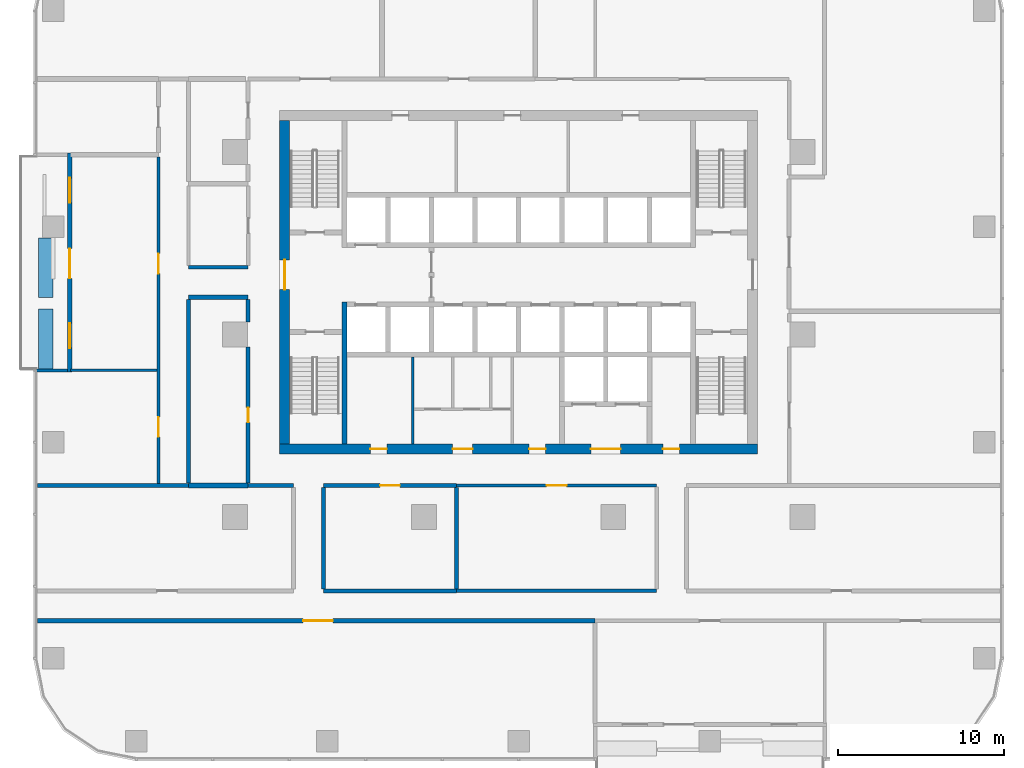
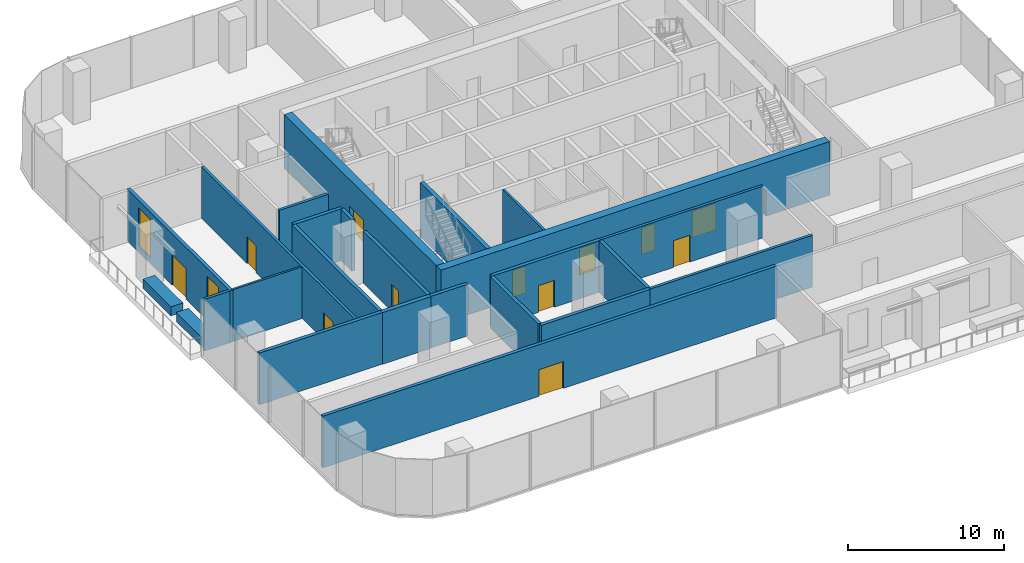
# One storey, part 7 of 15: 25 walls, 13 doors, 2 windows, 15 openings.
"""IFC4 building model written with IfcOpenShell, lengths in metres."""

from ifc_helpers import new_model, si_unit, direction, frame, frame_2d, origin, place, context, subcontext, project, spatial, rectangle, extrude, material, layer, layer_set, type_object, element, fill, save


model = new_model("IFC4")

# Units and contexts
model_context = context("Model", 3, precision=1e-05, world=origin(), true_north=direction((0.0, 1.0)))
body_context = subcontext(model_context, "Body", "Model", "MODEL_VIEW")
ifc_project = project(units=[si_unit("LENGTHUNIT", "METRE"), si_unit("AREAUNIT", "SQUARE_METRE"), si_unit("VOLUMEUNIT", "CUBIC_METRE"), si_unit("PLANEANGLEUNIT", "RADIAN"), si_unit("MASSUNIT", "GRAM", prefix="KILO")], contexts=[model_context])

# Site, building, storey
site_placement = place(None, origin())
site = spatial("IfcSite", under=ifc_project, at=site_placement, CompositionType="ELEMENT")
building_placement = place(site_placement, origin())
building = spatial("IfcBuilding", under=site, at=building_placement, Name="Mopane Tessera Tower", CompositionType="ELEMENT")
storey_placement = place(building_placement, frame((0.0, 0.0, 103.60009765625)))
storey = spatial("IfcBuildingStorey", under=building, at=storey_placement, Name="L20", CompositionType="ELEMENT", Elevation=103.60009765625)

# Wall
ifc_material_1 = material(Name="Fire-rated gypsum board partition")
ifc_layer_1 = layer(ifc_material_1, 0.14990234375)
ifc_layer_set_1 = layer_set([ifc_layer_1], Name="Fire-rated gypsum board partition")
wall_type_1 = type_object("IfcWallType", Name="Core room partition 150 mm", PredefinedType="PARTITIONING", material=ifc_layer_set_1)
wall_1_placement = place(storey_placement, frame((-6.375, -6.60009765625, 0.0), z_axis=(0.0, 0.0, 1.0), x_axis=(0.0, 1.0, 0.0)))
element("IfcWall", 1, at=wall_1_placement, inside=storey, type_object=wall_type_1, Name="L20 Room partition", PredefinedType="PARTITIONING", context=body_context, shape_type="SweptSolid", body=[
    extrude(rectangle(XDim=5.25, YDim=0.14990234375, at=frame_2d((2.625, 0.0))), origin(), (0.0, 0.0, 1.0), 4.199951171875),
])

# Wall, openings, doors
ifc_material_2 = material(Name="Concrete C70/85", Category="concrete")
ifc_layer_2 = layer(ifc_material_2, 0.60009765625)
ifc_layer_set_2 = layer_set([ifc_layer_2], Name="Concrete C70/85")
wall_type_2 = type_object("IfcWallType", Name="Core shear wall 600 mm", PredefinedType="SHEAR", material=ifc_layer_set_2)
wall_2_placement = place(storey_placement, frame((-14.39990234375, -6.89990234375, 0.0), z_axis=(0.0, 0.0, 1.0), x_axis=(1.0, 0.0, 0.0)))
wall_2 = element("IfcWall", 2, at=wall_2_placement, inside=storey, type_object=wall_type_2, Name="L20 Core wall south", PredefinedType="SHEAR", context=body_context, shape_type="SweptSolid", body=[
    extrude(rectangle(XDim=28.7998046875, YDim=0.60009765625, at=frame_2d((14.39990234375, 0.0))), origin(), (0.0, 0.0, 1.0), 4.199951171875),
])
opening_1_placement = place(wall_2_placement, frame((5.46240234375, 0.0, 0.0)))
opening_1 = element("IfcOpeningElement", 3, at=opening_1_placement, cuts=wall_2, Name="Opening RD1", PredefinedType="OPENING", context=body_context, shape_type="SweptSolid", body=[
    extrude(rectangle(XDim=1.0, YDim=2.10009765625, at=frame_2d((0.5, 1.050048828125))), frame((0.0, 0.31201171875, 0.0), z_axis=(0.0, -1.0, 0.0), x_axis=(1.0, 0.0, 0.0)), (0.0, 0.0, 1.0), 0.6240234375),
])
opening_2_placement = place(wall_2_placement, frame((10.425048828125, 0.0, 0.0)))
opening_2 = element("IfcOpeningElement", 4, at=opening_2_placement, cuts=wall_2, Name="Opening WD3", PredefinedType="OPENING", context=body_context, shape_type="SweptSolid", body=[
    extrude(rectangle(XDim=1.199951171875, YDim=2.10009765625, at=frame_2d((0.60009765625, 1.050048828125))), frame((0.0, 0.31201171875, 0.0), z_axis=(0.0, -1.0, 0.0), x_axis=(1.0, 0.0, 0.0)), (0.0, 0.0, 1.0), 0.6240234375),
])
opening_3_placement = place(wall_2_placement, frame((15.02490234375, 0.0, 0.0)))
opening_3 = element("IfcOpeningElement", 5, at=opening_3_placement, cuts=wall_2, Name="Opening RD1", PredefinedType="OPENING", context=body_context, shape_type="SweptSolid", body=[
    extrude(rectangle(XDim=1.0, YDim=2.10009765625, at=frame_2d((0.5, 1.050048828125))), frame((0.0, 0.31201171875, 0.0), z_axis=(0.0, -1.0, 0.0), x_axis=(1.0, 0.0, 0.0)), (0.0, 0.0, 1.0), 0.6240234375),
])
opening_4_placement = place(wall_2_placement, frame((18.75, 0.0, 0.0)))
opening_4 = element("IfcOpeningElement", 6, at=opening_4_placement, cuts=wall_2, Name="Opening SD2", PredefinedType="OPENING", context=body_context, shape_type="SweptSolid", body=[
    extrude(rectangle(XDim=1.800048828125, YDim=2.10009765625, at=frame_2d((0.89990234375, 1.050048828125))), frame((0.0, 0.31201171875, 0.0), z_axis=(0.0, -1.0, 0.0), x_axis=(1.0, 0.0, 0.0)), (0.0, 0.0, 1.0), 0.6240234375),
])
opening_5_placement = place(wall_2_placement, frame((23.08740234375, 0.0, 0.0)))
opening_5 = element("IfcOpeningElement", 7, at=opening_5_placement, cuts=wall_2, Name="Opening RD1", PredefinedType="OPENING", context=body_context, shape_type="SweptSolid", body=[
    extrude(rectangle(XDim=1.0, YDim=2.10009765625, at=frame_2d((0.5, 1.050048828125))), frame((0.0, 0.31201171875, 0.0), z_axis=(0.0, -1.0, 0.0), x_axis=(1.0, 0.0, 0.0)), (0.0, 0.0, 1.0), 0.6240234375),
])
ifc_material_3 = material(Name="Steel fire door", Category="steel")
door_type_1 = type_object("IfcDoorType", Name="Core entrance double door 1800 x 2100", OperationType="DOUBLE_DOOR_SINGLE_SWING", PredefinedType="DOOR", material=ifc_material_3)
door_1_placement = place(opening_4_placement, origin())
door_1 = element("IfcDoor", 8, at=door_1_placement, inside=storey, type_object=door_type_1, Name="L20 Service lobby door", OperationType="DOUBLE_DOOR_SINGLE_SWING", OverallHeight=2.10009765625, OverallWidth=1.800048828125, PredefinedType="DOOR", context=body_context, shape_type="SweptSolid", body=[
    extrude(rectangle(XDim=1.800048828125, YDim=2.10009765625, at=frame_2d((0.89990234375, 1.050048828125))), frame((0.0, 0.02490234375, 0.0), z_axis=(0.0, -1.0, 0.0), x_axis=(1.0, 0.0, 0.0)), (0.0, 0.0, 1.0), 0.050048828125),
])
fill(opening_4, door_1)
ifc_material_4 = material(Name="Timber door", Category="wood")
door_type_2 = type_object("IfcDoorType", Name="Core room door 1000 x 2100", OperationType="SINGLE_SWING_LEFT", PredefinedType="DOOR", material=ifc_material_4)
door_2_placement = place(opening_1_placement, origin())
door_2 = element("IfcDoor", 9, at=door_2_placement, inside=storey, type_object=door_type_2, Name="L20 Room door", OperationType="SINGLE_SWING_LEFT", OverallHeight=2.10009765625, OverallWidth=1.0, PredefinedType="DOOR", context=body_context, shape_type="SweptSolid", body=[
    extrude(rectangle(XDim=1.0, YDim=2.10009765625, at=frame_2d((0.5, 1.050048828125))), frame((0.0, 0.02490234375, 0.0), z_axis=(0.0, -1.0, 0.0), x_axis=(1.0, 0.0, 0.0)), (0.0, 0.0, 1.0), 0.050048828125),
])
fill(opening_1, door_2)
door_3_placement = place(opening_3_placement, origin())
door_3 = element("IfcDoor", 10, at=door_3_placement, inside=storey, type_object=door_type_2, Name="L20 Room door", OperationType="SINGLE_SWING_LEFT", OverallHeight=2.10009765625, OverallWidth=1.0, PredefinedType="DOOR", context=body_context, shape_type="SweptSolid", body=[
    extrude(rectangle(XDim=1.0, YDim=2.10009765625, at=frame_2d((0.5, 1.050048828125))), frame((0.0, 0.02490234375, 0.0), z_axis=(0.0, -1.0, 0.0), x_axis=(1.0, 0.0, 0.0)), (0.0, 0.0, 1.0), 0.050048828125),
])
fill(opening_3, door_3)
door_4_placement = place(opening_5_placement, origin())
door_4 = element("IfcDoor", 11, at=door_4_placement, inside=storey, type_object=door_type_2, Name="L20 Room door", OperationType="SINGLE_SWING_LEFT", OverallHeight=2.10009765625, OverallWidth=1.0, PredefinedType="DOOR", context=body_context, shape_type="SweptSolid", body=[
    extrude(rectangle(XDim=1.0, YDim=2.10009765625, at=frame_2d((0.5, 1.050048828125))), frame((0.0, 0.02490234375, 0.0), z_axis=(0.0, -1.0, 0.0), x_axis=(1.0, 0.0, 0.0)), (0.0, 0.0, 1.0), 0.050048828125),
])
fill(opening_5, door_4)
ifc_material_5 = material(Name="Timber door", Category="wood")
door_type_3 = type_object("IfcDoorType", Name="WC lobby door 1200 x 2100", OperationType="SINGLE_SWING_LEFT", PredefinedType="DOOR", material=ifc_material_5)
door_5_placement = place(opening_2_placement, origin())
door_5 = element("IfcDoor", 12, at=door_5_placement, inside=storey, type_object=door_type_3, Name="L20 WC lobby door", OperationType="SINGLE_SWING_LEFT", OverallHeight=2.10009765625, OverallWidth=1.199951171875, PredefinedType="DOOR", context=body_context, shape_type="SweptSolid", body=[
    extrude(rectangle(XDim=1.199951171875, YDim=2.10009765625, at=frame_2d((0.60009765625, 1.050048828125))), frame((0.0, 0.02490234375, 0.0), z_axis=(0.0, -1.0, 0.0), x_axis=(1.0, 0.0, 0.0)), (0.0, 0.0, 1.0), 0.050048828125),
])
fill(opening_2, door_5)

# Wall, opening, door
wall_3_placement = place(storey_placement, frame((-14.10009765625, -6.60009765625, 0.0), z_axis=(0.0, 0.0, 1.0), x_axis=(0.0, 1.0, 0.0)))
wall_3 = element("IfcWall", 13, at=wall_3_placement, inside=storey, type_object=wall_type_2, Name="L20 Core wall west", PredefinedType="SHEAR", context=body_context, shape_type="SweptSolid", body=[
    extrude(rectangle(XDim=19.5, YDim=0.60009765625, at=frame_2d((9.75, 0.0))), origin(), (0.0, 0.0, 1.0), 4.199951171875),
])
opening_6_placement = place(wall_3_placement, frame((9.300048828125, 0.0, 0.0)))
opening_6 = element("IfcOpeningElement", 14, at=opening_6_placement, cuts=wall_3, Name="Opening SD2", PredefinedType="OPENING", context=body_context, shape_type="SweptSolid", body=[
    extrude(rectangle(XDim=1.800048828125, YDim=2.10009765625, at=frame_2d((0.89990234375, 1.050048828125))), frame((0.0, 0.31201171875, 0.0), z_axis=(0.0, -1.0, 0.0), x_axis=(1.0, 0.0, 0.0)), (0.0, 0.0, 1.0), 0.6240234375),
])
door_6_placement = place(opening_6_placement, origin())
door_6 = element("IfcDoor", 15, at=door_6_placement, inside=storey, type_object=door_type_1, Name="L20 Core entrance door west", OperationType="DOUBLE_DOOR_SINGLE_SWING", OverallHeight=2.10009765625, OverallWidth=1.800048828125, PredefinedType="DOOR", context=body_context, shape_type="SweptSolid", body=[
    extrude(rectangle(XDim=1.800048828125, YDim=2.10009765625, at=frame_2d((0.89990234375, 1.050048828125))), frame((0.0, 0.02490234375, 0.0), z_axis=(0.0, -1.0, 0.0), x_axis=(1.0, 0.0, 0.0)), (0.0, 0.0, 1.0), 0.050048828125),
])
fill(opening_6, door_6)

# Walls
ifc_material_6 = material(Name="Concrete C60/75", Category="concrete")
ifc_layer_3 = layer(ifc_material_6, 0.300048828125)
ifc_layer_set_3 = layer_set([ifc_layer_3], Name="Concrete C60/75")
wall_type_3 = type_object("IfcWallType", Name="Core spine wall 300 mm", PredefinedType="SHEAR", material=ifc_layer_set_3)
wall_4_placement = place(storey_placement, frame((-10.5, -6.60009765625, 0.0), z_axis=(0.0, 0.0, 1.0), x_axis=(0.0, 1.0, 0.0)))
element("IfcWall", 16, at=wall_4_placement, inside=storey, type_object=wall_type_3, Name="L20 Core spine wall", PredefinedType="SHEAR", context=body_context, shape_type="SweptSolid", body=[
    extrude(rectangle(XDim=8.550048828125, YDim=0.300048828125, at=frame_2d((4.27490234375, 0.0))), origin(), (0.0, 0.0, 1.0), 4.199951171875),
])
ifc_material_7 = material(Name="Gypsum board on steel studs, two layers each face, mineral wool infill", Category="steel")
ifc_layer_4 = layer(ifc_material_7, 0.199951171875)
ifc_layer_set_4 = layer_set([ifc_layer_4], Name="Gypsum board on steel studs, two layers each face, mineral wool infill")
wall_type_4 = type_object("IfcWallType", Name="Gypsum board corridor wall 200, rated EI 60", PredefinedType="PARTITIONING", material=ifc_layer_set_4)
wall_5_placement = place(storey_placement, frame((-3.735107421875, -15.449951171875, 0.0), z_axis=(0.0, 0.0, 1.0), x_axis=(1.0, 0.0, 0.0)))
element("IfcWall", 17, at=wall_5_placement, inside=storey, type_object=wall_type_4, Name="Partition L20:002", PredefinedType="PARTITIONING", context=body_context, shape_type="SweptSolid", body=[
    extrude(rectangle(XDim=12.050048828125, YDim=0.199951171875, at=frame_2d((6.02490234375, 0.0))), origin(), (0.0, 0.0, 1.0), 4.0498046875),
])

# Wall, opening, door
wall_6_placement = place(storey_placement, frame((-3.735107421875, -9.10009765625, 0.0), z_axis=(0.0, 0.0, 1.0), x_axis=(1.0, 0.0, 0.0)))
wall_6 = element("IfcWall", 18, at=wall_6_placement, inside=storey, type_object=wall_type_4, Name="Partition L20:006", PredefinedType="PARTITIONING", context=body_context, shape_type="SweptSolid", body=[
    extrude(rectangle(XDim=12.050048828125, YDim=0.199951171875, at=frame_2d((6.02490234375, 0.0))), origin(), (0.0, 0.0, 1.0), 4.0498046875),
])
opening_7_placement = place(wall_6_placement, frame((5.425048828125, 0.0, 0.0)))
opening_7 = element("IfcOpeningElement", 19, at=opening_7_placement, cuts=wall_6, Name="Opening L20-11", PredefinedType="OPENING", context=body_context, shape_type="SweptSolid", body=[
    extrude(rectangle(XDim=1.199951171875, YDim=2.10009765625, at=frame_2d((0.60009765625, 1.050048828125))), frame((0.0, 0.112060546875, 0.0), z_axis=(0.0, -1.0, 0.0), x_axis=(1.0, 0.0, 0.0)), (0.0, 0.0, 1.0), 0.223876953125),
])
ifc_material_8 = material(Name="Timber veneered steel-framed fire door", Category="steel")
door_type_4 = type_object("IfcDoorType", Name="Fire door FD60 1200 x 2100", OperationType="SINGLE_SWING_LEFT", PredefinedType="DOOR", material=ifc_material_8)
door_7_placement = place(opening_7_placement, origin())
door_7 = element("IfcDoor", 20, at=door_7_placement, inside=storey, type_object=door_type_4, Name="Door L20-11", ObjectType="D15A", OperationType="SINGLE_SWING_LEFT", OverallHeight=2.10009765625, OverallWidth=1.199951171875, PredefinedType="DOOR", context=body_context, shape_type="SweptSolid", body=[
    extrude(rectangle(XDim=1.199951171875, YDim=2.10009765625, at=frame_2d((0.60009765625, 1.050048828125))), frame((0.0, 0.02490234375, 0.0), z_axis=(0.0, -1.0, 0.0), x_axis=(1.0, 0.0, 0.0)), (0.0, 0.0, 1.0), 0.050048828125),
])
fill(opening_7, door_7)

# Wall
wall_7_placement = place(storey_placement, frame((-19.89990234375, 4.050048828125, 0.0), z_axis=(0.0, 0.0, 1.0), x_axis=(1.0, 0.0, 0.0)))
element("IfcWall", 21, at=wall_7_placement, inside=storey, type_object=wall_type_4, Name="Partition L20:015", PredefinedType="PARTITIONING", context=body_context, shape_type="SweptSolid", body=[
    extrude(rectangle(XDim=3.599853515625, YDim=0.199951171875, at=frame_2d((1.7998046875, 0.0))), origin(), (0.0, 0.0, 1.0), 4.0498046875),
])

# Wall, openings, doors
wall_8_placement = place(storey_placement, frame((-21.699951171875, -8.97509765625, 0.0), z_axis=(0.0, 0.0, 1.0), x_axis=(0.0, 1.0, 0.0)))
wall_8 = element("IfcWall", 22, at=wall_8_placement, inside=storey, type_object=wall_type_4, Name="Partition L20:024", PredefinedType="PARTITIONING", context=body_context, shape_type="SweptSolid", body=[
    extrude(rectangle(XDim=19.68505859375, YDim=0.199951171875, at=frame_2d((9.842529296875, 0.0))), origin(), (0.0, 0.0, 1.0), 4.0498046875),
])
opening_8_placement = place(wall_8_placement, frame((2.804931640625, 0.0, 0.0)))
opening_8 = element("IfcOpeningElement", 23, at=opening_8_placement, cuts=wall_8, Name="Opening L20-04", PredefinedType="OPENING", context=body_context, shape_type="SweptSolid", body=[
    extrude(rectangle(XDim=1.199951171875, YDim=2.10009765625, at=frame_2d((0.60009765625, 1.050048828125))), frame((0.0, 0.112060546875, 0.0), z_axis=(0.0, -1.0, 0.0), x_axis=(1.0, 0.0, 0.0)), (0.0, 0.0, 1.0), 0.223876953125),
])
opening_9_placement = place(wall_8_placement, frame((12.6474609375, 0.0, 0.0)))
opening_9 = element("IfcOpeningElement", 24, at=opening_9_placement, cuts=wall_8, Name="Opening L20-15", PredefinedType="OPENING", context=body_context, shape_type="SweptSolid", body=[
    extrude(rectangle(XDim=1.199951171875, YDim=2.10009765625, at=frame_2d((0.60009765625, 1.050048828125))), frame((0.0, 0.112060546875, 0.0), z_axis=(0.0, -1.0, 0.0), x_axis=(1.0, 0.0, 0.0)), (0.0, 0.0, 1.0), 0.223876953125),
])
door_8_placement = place(opening_8_placement, origin())
door_8 = element("IfcDoor", 25, at=door_8_placement, inside=storey, type_object=door_type_4, Name="Door L20-04", ObjectType="D15A", OperationType="SINGLE_SWING_LEFT", OverallHeight=2.10009765625, OverallWidth=1.199951171875, PredefinedType="DOOR", context=body_context, shape_type="SweptSolid", body=[
    extrude(rectangle(XDim=1.199951171875, YDim=2.10009765625, at=frame_2d((0.60009765625, 1.050048828125))), frame((0.0, 0.02490234375, 0.0), z_axis=(0.0, -1.0, 0.0), x_axis=(1.0, 0.0, 0.0)), (0.0, 0.0, 1.0), 0.050048828125),
])
fill(opening_8, door_8)
door_9_placement = place(opening_9_placement, origin())
door_9 = element("IfcDoor", 26, at=door_9_placement, inside=storey, type_object=door_type_4, Name="Door L20-15", ObjectType="D15A", OperationType="SINGLE_SWING_RIGHT", OverallHeight=2.10009765625, OverallWidth=1.199951171875, PredefinedType="DOOR", context=body_context, shape_type="SweptSolid", body=[
    extrude(rectangle(XDim=1.199951171875, YDim=2.10009765625, at=frame_2d((0.60009765625, 1.050048828125))), frame((0.0, 0.02490234375, 0.0), z_axis=(0.0, -1.0, 0.0), x_axis=(1.0, 0.0, 0.0)), (0.0, 0.0, 1.0), 0.050048828125),
])
fill(opening_9, door_9)

# Walls
ifc_material_9 = material(Name="Gypsum board on steel studs, mineral wool infill", Category="steel")
ifc_layer_5 = layer(ifc_material_9, 0.14990234375)
ifc_layer_set_5 = layer_set([ifc_layer_5], Name="Gypsum board on steel studs, mineral wool infill")
wall_type_5 = type_object("IfcWallType", Name="Gypsum board partition 150, rated EI 60", PredefinedType="PARTITIONING", material=ifc_layer_set_5)
wall_9_placement = place(storey_placement, frame((-27.0, -2.1650390625, 0.0), z_axis=(0.0, 0.0, 1.0), x_axis=(1.0, 0.0, 0.0)))
element("IfcWall", 27, at=wall_9_placement, inside=storey, type_object=wall_type_5, Name="Partition L20:012", PredefinedType="PARTITIONING", context=body_context, shape_type="SweptSolid", body=[
    extrude(rectangle(XDim=5.199951171875, YDim=0.14990234375, at=frame_2d((2.60009765625, 0.0))), origin(), (0.0, 0.0, 1.0), 4.0498046875),
])
ifc_material_10 = material(Name="Reinforced concrete C32/40 with waterproofing", Category="concrete")
ifc_layer_6 = layer(ifc_material_10, 0.89990234375)
ifc_layer_set_6 = layer_set([ifc_layer_6], Name="Reinforced concrete C32/40 with waterproofing")
wall_type_6 = type_object("IfcWallType", Name="Planter trough 3600 x 900", PredefinedType="STANDARD", material=ifc_layer_set_6)
for number, where, z_axis, x_axis, name in (
    (28, (-28.5, 5.830078125, 0.0), (0.0, 0.0, 1.0), (0.0, -1.0, 0.0), "e:nw:L20:N2:pl0"),
    (29, (-28.5, 1.533447265625, 0.0), (0.0, 0.0, 1.0), (0.0, -1.0, 0.0), "e:nw:L20:N2:pl1"),
):
    element("IfcWall", number, at=place(storey_placement, frame(where, z_axis=z_axis, x_axis=x_axis)), inside=storey, type_object=wall_type_6, Name=name, PredefinedType="STANDARD", context=body_context, shape_type="SweptSolid", body=[
        extrude(rectangle(XDim=3.60009765625, YDim=0.89990234375, at=frame_2d((1.800048828125, 0.0))), origin(), (0.0, 0.0, 1.0), 0.699951171875),
    ])
ifc_material_11 = material(Name="Plastered concrete blockwork C20/25", Category="masonry")
ifc_layer_7 = layer(ifc_material_11, 0.300048828125)
ifc_layer_set_7 = layer_set([ifc_layer_7], Name="Plastered concrete blockwork C20/25")
wall_type_7 = type_object("IfcWallType", Name="Plastered blockwork separation wall 300, rated EI 120", PredefinedType="PARTITIONING", material=ifc_layer_set_7)
wall_10_placement = place(storey_placement, frame((-19.89990234375, -9.10009765625, 0.0), z_axis=(0.0, 0.0, 1.0), x_axis=(1.0, 0.0, 0.0)))
element("IfcWall", 30, at=wall_10_placement, inside=storey, type_object=wall_type_7, Name="Partition L20:011", PredefinedType="PARTITIONING", context=body_context, shape_type="SweptSolid", body=[
    extrude(rectangle(XDim=3.599853515625, YDim=0.300048828125, at=frame_2d((1.7998046875, 0.0))), origin(), (0.0, 0.0, 1.0), 4.0498046875),
])

# Wall, opening, door
ifc_material_12 = material(Name="Plastered concrete blockwork C20/25", Category="masonry")
ifc_layer_8 = layer(ifc_material_12, 0.25)
ifc_layer_set_8 = layer_set([ifc_layer_8], Name="Plastered concrete blockwork C20/25")
wall_type_8 = type_object("IfcWallType", Name="Plastered blockwork wall 250, rated EI 120", PredefinedType="PARTITIONING", material=ifc_layer_set_8)
wall_11_placement = place(storey_placement, frame((-29.0, -17.25, 0.0), z_axis=(0.0, 0.0, 1.0), x_axis=(1.0, 0.0, 0.0)))
wall_11 = element("IfcWall", 31, at=wall_11_placement, inside=storey, type_object=wall_type_8, Name="Partition L20:001", PredefinedType="PARTITIONING", context=body_context, shape_type="SweptSolid", body=[
    extrude(rectangle(XDim=33.610107421875, YDim=0.25, at=frame_2d((16.80517578125, 0.0))), origin(), (0.0, 0.0, 1.0), 4.0498046875),
])
opening_10_placement = place(wall_11_placement, frame((16.0048828125, 0.0, 0.0)))
opening_10 = element("IfcOpeningElement", 32, at=opening_10_placement, cuts=wall_11, Name="Opening L20-14", PredefinedType="OPENING", context=body_context, shape_type="SweptSolid", body=[
    extrude(rectangle(XDim=1.800048828125, YDim=2.10009765625, at=frame_2d((0.89990234375, 1.050048828125))), frame((0.0, 0.136962890625, 0.0), z_axis=(0.0, -1.0, 0.0), x_axis=(1.0, 0.0, 0.0)), (0.0, 0.0, 1.0), 0.27392578125),
])
ifc_material_13 = material(Name="Timber veneered steel-framed fire door", Category="steel")
door_type_5 = type_object("IfcDoorType", Name="Fire door pair FD120 1800 x 2100", OperationType="DOUBLE_DOOR_SINGLE_SWING", PredefinedType="DOOR", material=ifc_material_13)
door_10_placement = place(opening_10_placement, origin())
door_10 = element("IfcDoor", 33, at=door_10_placement, inside=storey, type_object=door_type_5, Name="Door L20-14", ObjectType="D20B", OperationType="DOUBLE_DOOR_SINGLE_SWING", OverallHeight=2.10009765625, OverallWidth=1.800048828125, PredefinedType="DOOR", context=body_context, shape_type="SweptSolid", body=[
    extrude(rectangle(XDim=1.800048828125, YDim=2.10009765625, at=frame_2d((0.89990234375, 1.050048828125))), frame((0.0, 0.02490234375, 0.0), z_axis=(0.0, -1.0, 0.0), x_axis=(1.0, 0.0, 0.0)), (0.0, 0.0, 1.0), 0.050048828125),
])
fill(opening_10, door_10)

# Walls
wall_12_placement = place(storey_placement, frame((-11.77001953125, -15.449951171875, 0.0), z_axis=(0.0, 0.0, 1.0), x_axis=(1.0, 0.0, 0.0)))
element("IfcWall", 34, at=wall_12_placement, inside=storey, type_object=wall_type_8, Name="Partition L20:004", PredefinedType="PARTITIONING", context=body_context, shape_type="SweptSolid", body=[
    extrude(rectangle(XDim=8.034912109375, YDim=0.25, at=frame_2d((4.017578125, 0.0))), origin(), (0.0, 0.0, 1.0), 4.0498046875),
])
wall_13_placement = place(storey_placement, frame((-29.0, -9.10009765625, 0.0), z_axis=(0.0, 0.0, 1.0), x_axis=(1.0, 0.0, 0.0)))
element("IfcWall", 35, at=wall_13_placement, inside=storey, type_object=wall_type_8, Name="Partition L20:007", PredefinedType="PARTITIONING", context=body_context, shape_type="SweptSolid", body=[
    extrude(rectangle(XDim=9.10009765625, YDim=0.25, at=frame_2d((4.550048828125, 0.0))), origin(), (0.0, 0.0, 1.0), 4.0498046875),
])
wall_14_placement = place(storey_placement, frame((-16.300048828125, -9.10009765625, 0.0), z_axis=(0.0, 0.0, 1.0), x_axis=(1.0, 0.0, 0.0)))
element("IfcWall", 36, at=wall_14_placement, inside=storey, type_object=wall_type_8, Name="Partition L20:008", PredefinedType="PARTITIONING", context=body_context, shape_type="SweptSolid", body=[
    extrude(rectangle(XDim=2.72998046875, YDim=0.25, at=frame_2d((1.364990234375, 0.0))), origin(), (0.0, 0.0, 1.0), 4.0498046875),
])

# Wall, opening, door
wall_15_placement = place(storey_placement, frame((-11.77001953125, -9.10009765625, 0.0), z_axis=(0.0, 0.0, 1.0), x_axis=(1.0, 0.0, 0.0)))
wall_15 = element("IfcWall", 37, at=wall_15_placement, inside=storey, type_object=wall_type_8, Name="Partition L20:009", PredefinedType="PARTITIONING", context=body_context, shape_type="SweptSolid", body=[
    extrude(rectangle(XDim=8.034912109375, YDim=0.25, at=frame_2d((4.017578125, 0.0))), origin(), (0.0, 0.0, 1.0), 4.0498046875),
])
opening_11_placement = place(wall_15_placement, frame((3.41748046875, 0.0, 0.0)))
opening_11 = element("IfcOpeningElement", 38, at=opening_11_placement, cuts=wall_15, Name="Opening L20-07", PredefinedType="OPENING", context=body_context, shape_type="SweptSolid", body=[
    extrude(rectangle(XDim=1.199951171875, YDim=2.10009765625, at=frame_2d((0.60009765625, 1.050048828125))), frame((0.0, 0.136962890625, 0.0), z_axis=(0.0, -1.0, 0.0), x_axis=(1.0, 0.0, 0.0)), (0.0, 0.0, 1.0), 0.27392578125),
])
ifc_material_14 = material(Name="Timber veneered steel-framed fire door", Category="steel")
door_type_6 = type_object("IfcDoorType", Name="Fire door FD120 1200 x 2100", OperationType="SINGLE_SWING_LEFT", PredefinedType="DOOR", material=ifc_material_14)
door_11_placement = place(opening_11_placement, origin())
door_11 = element("IfcDoor", 39, at=door_11_placement, inside=storey, type_object=door_type_6, Name="Door L20-07", ObjectType="D15B", OperationType="SINGLE_SWING_RIGHT", OverallHeight=2.10009765625, OverallWidth=1.199951171875, PredefinedType="DOOR", context=body_context, shape_type="SweptSolid", body=[
    extrude(rectangle(XDim=1.199951171875, YDim=2.10009765625, at=frame_2d((0.60009765625, 1.050048828125))), frame((0.0, 0.02490234375, 0.0), z_axis=(0.0, -1.0, 0.0), x_axis=(1.0, 0.0, 0.0)), (0.0, 0.0, 1.0), 0.050048828125),
])
fill(opening_11, door_11)

# Walls
wall_16_placement = place(storey_placement, frame((-19.89990234375, 2.25, 0.0), z_axis=(0.0, 0.0, 1.0), x_axis=(1.0, 0.0, 0.0)))
element("IfcWall", 40, at=wall_16_placement, inside=storey, type_object=wall_type_8, Name="Partition L20:014", PredefinedType="PARTITIONING", context=body_context, shape_type="SweptSolid", body=[
    extrude(rectangle(XDim=3.599853515625, YDim=0.25, at=frame_2d((1.7998046875, 0.0))), origin(), (0.0, 0.0, 1.0), 4.0498046875),
])
wall_17_placement = place(storey_placement, frame((-19.89990234375, -8.949951171875, 0.0), z_axis=(0.0, 0.0, 1.0), x_axis=(0.0, 1.0, 0.0)))
element("IfcWall", 41, at=wall_17_placement, inside=storey, type_object=wall_type_8, Name="Partition L20:027", PredefinedType="PARTITIONING", context=body_context, shape_type="SweptSolid", body=[
    extrude(rectangle(XDim=11.074951171875, YDim=0.25, at=frame_2d((5.53759765625, 0.0))), origin(), (0.0, 0.0, 1.0), 4.0498046875),
])

# Wall, opening, door
wall_18_placement = place(storey_placement, frame((-16.300048828125, -8.949951171875, 0.0), z_axis=(0.0, 0.0, 1.0), x_axis=(0.0, 1.0, 0.0)))
wall_18 = element("IfcWall", 42, at=wall_18_placement, inside=storey, type_object=wall_type_8, Name="Partition L20:030", PredefinedType="PARTITIONING", context=body_context, shape_type="SweptSolid", body=[
    extrude(rectangle(XDim=8.199951171875, YDim=0.25, at=frame_2d((4.10009765625, 0.0))), origin(), (0.0, 0.0, 1.0), 4.0498046875),
])
opening_12_placement = place(wall_18_placement, frame((3.64990234375, 0.0, 0.0)))
opening_12 = element("IfcOpeningElement", 43, at=opening_12_placement, cuts=wall_18, Name="Opening L20-06", PredefinedType="OPENING", context=body_context, shape_type="SweptSolid", body=[
    extrude(rectangle(XDim=0.89990234375, YDim=2.10009765625, at=frame_2d((0.449951171875, 1.050048828125))), frame((0.0, 0.136962890625, 0.0), z_axis=(0.0, -1.0, 0.0), x_axis=(1.0, 0.0, 0.0)), (0.0, 0.0, 1.0), 0.27392578125),
])
ifc_material_15 = material(Name="Timber veneered steel-framed fire door", Category="steel")
door_type_7 = type_object("IfcDoorType", Name="Fire door FD120 900 x 2100", OperationType="SINGLE_SWING_LEFT", PredefinedType="DOOR", material=ifc_material_15)
door_12_placement = place(opening_12_placement, origin())
door_12 = element("IfcDoor", 44, at=door_12_placement, inside=storey, type_object=door_type_7, Name="Door L20-06", ObjectType="D10B", OperationType="SINGLE_SWING_RIGHT", OverallHeight=2.10009765625, OverallWidth=0.89990234375, PredefinedType="DOOR", context=body_context, shape_type="SweptSolid", body=[
    extrude(rectangle(XDim=0.89990234375, YDim=2.10009765625, at=frame_2d((0.449951171875, 1.050048828125))), frame((0.0, 0.02490234375, 0.0), z_axis=(0.0, -1.0, 0.0), x_axis=(1.0, 0.0, 0.0)), (0.0, 0.0, 1.0), 0.050048828125),
])
fill(opening_12, door_12)

# Walls
wall_19_placement = place(storey_placement, frame((-16.300048828125, 0.75, 0.0), z_axis=(0.0, 0.0, 1.0), x_axis=(0.0, 1.0, 0.0)))
element("IfcWall", 45, at=wall_19_placement, inside=storey, type_object=wall_type_8, Name="Partition L20:031", PredefinedType="PARTITIONING", context=body_context, shape_type="SweptSolid", body=[
    extrude(rectangle(XDim=1.375, YDim=0.25, at=frame_2d((0.6875, 0.0))), origin(), (0.0, 0.0, 1.0), 4.0498046875),
])
for number, where, z_axis, x_axis, name in (
    (46, (-11.77001953125, -15.324951171875, 0.0), (0.0, 0.0, 1.0), (0.0, 1.0, 0.0), "Partition L20:035"),
    (47, (-3.735107421875, -15.324951171875, 0.0), (0.0, 0.0, 1.0), (0.0, 1.0, 0.0), "Partition L20:037"),
):
    element("IfcWall", number, at=place(storey_placement, frame(where, z_axis=z_axis, x_axis=x_axis)), inside=storey, type_object=wall_type_8, Name=name, PredefinedType="PARTITIONING", context=body_context, shape_type="SweptSolid", body=[
        extrude(rectangle(XDim=6.099853515625, YDim=0.25, at=frame_2d((3.0498046875, 0.0))), origin(), (0.0, 0.0, 1.0), 4.0498046875),
    ])
ifc_material_16 = material(Name="Blockwork with glazed tile facing", Category="masonry")
ifc_layer_9 = layer(ifc_material_16, 0.199951171875)
ifc_layer_set_9 = layer_set([ifc_layer_9], Name="Blockwork with glazed tile facing")
wall_type_9 = type_object("IfcWallType", Name="Terrace cheek wall 200", PredefinedType="STANDARD", material=ifc_layer_set_9)
wall_20_placement = place(storey_placement, frame((-29.050048828125, -2.166748046875, 0.0), z_axis=(0.0, 0.0, 1.0), x_axis=(1.0, 0.0, 0.0)))
element("IfcWall", 48, at=wall_20_placement, inside=storey, type_object=wall_type_9, Name="e:nw:L20:N2:cheekb", PredefinedType="STANDARD", context=body_context, shape_type="SweptSolid", body=[
    extrude(rectangle(XDim=1.875, YDim=0.199951171875, at=frame_2d((0.9375, 0.0))), origin(), (0.0, 0.0, 1.0), 4.0498046875),
])

# Wall, openings, windows, door
ifc_material_17 = material(Name="Blockwork with turquoise glazed tile facing", Category="masonry")
ifc_layer_10 = layer(ifc_material_17, 0.25)
ifc_layer_set_10 = layer_set([ifc_layer_10], Name="Blockwork with turquoise glazed tile facing")
wall_type_10 = type_object("IfcWallType", Name="Tile-clad external wall 250, turquoise", PredefinedType="STANDARD", material=ifc_layer_set_10)
wall_21_placement = place(storey_placement, frame((-27.050048828125, 10.933349609375, 0.0), z_axis=(0.0, 0.0, 1.0), x_axis=(0.0, -1.0, 0.0)))
wall_21 = element("IfcWall", 49, at=wall_21_placement, inside=storey, type_object=wall_type_10, Name="e:nw:L20:N2:back", PredefinedType="STANDARD", context=body_context, shape_type="SweptSolid", body=[
    extrude(rectangle(XDim=13.199951171875, YDim=0.25, at=frame_2d((6.60009765625, 0.0))), origin(), (0.0, 0.0, 1.0), 4.0498046875),
])
opening_13_placement = place(wall_21_placement, frame((1.5, 0.0, 0.449951171875)))
opening_13 = element("IfcOpeningElement", 50, at=opening_13_placement, cuts=wall_21, Name="Opening NW202A", PredefinedType="OPENING", context=body_context, shape_type="SweptSolid", body=[
    extrude(rectangle(XDim=1.5, YDim=3.0, at=frame_2d((0.75, 1.5))), frame((0.0, 0.136962890625, 0.0), z_axis=(0.0, -1.0, 0.0), x_axis=(1.0, 0.0, 0.0)), (0.0, 0.0, 1.0), 0.27392578125),
])
opening_14_placement = place(wall_21_placement, frame((5.75, 0.0, 0.0)))
opening_14 = element("IfcOpeningElement", 51, at=opening_14_placement, cuts=wall_21, Name="Opening ND202", PredefinedType="OPENING", context=body_context, shape_type="SweptSolid", body=[
    extrude(rectangle(XDim=1.800048828125, YDim=2.39990234375, at=frame_2d((0.89990234375, 1.199951171875))), frame((0.0, 0.136962890625, 0.0), z_axis=(0.0, -1.0, 0.0), x_axis=(1.0, 0.0, 0.0)), (0.0, 0.0, 1.0), 0.27392578125),
])
opening_15_placement = place(wall_21_placement, frame((10.25, 0.0, 0.449951171875)))
opening_15 = element("IfcOpeningElement", 52, at=opening_15_placement, cuts=wall_21, Name="Opening NW202B", PredefinedType="OPENING", context=body_context, shape_type="SweptSolid", body=[
    extrude(rectangle(XDim=1.5, YDim=3.0, at=frame_2d((0.75, 1.5))), frame((0.0, 0.136962890625, 0.0), z_axis=(0.0, -1.0, 0.0), x_axis=(1.0, 0.0, 0.0)), (0.0, 0.0, 1.0), 0.27392578125),
])
ifc_material_18 = material(Name="Clear laminated glass", Category="glass")
window_type = type_object("IfcWindowType", Name="Fixed window 1500 x 3000", PartitioningType="SINGLE_PANEL", PredefinedType="WINDOW", material=ifc_material_18)
window_1_placement = place(opening_13_placement, origin())
window_1 = element("IfcWindow", 53, at=window_1_placement, inside=storey, type_object=window_type, Name="e:nw:L20:N2:win0", OverallHeight=3.0, OverallWidth=1.5, PartitioningType="SINGLE_PANEL", PredefinedType="WINDOW", context=body_context, shape_type="SweptSolid", body=[
    extrude(rectangle(XDim=1.5, YDim=3.0, at=frame_2d((0.75, 1.5))), frame((0.0, 0.030029296875, 0.0), z_axis=(0.0, -1.0, 0.0), x_axis=(1.0, 0.0, 0.0)), (0.0, 0.0, 1.0), 0.06005859375),
])
fill(opening_13, window_1)
window_2_placement = place(opening_15_placement, origin())
window_2 = element("IfcWindow", 54, at=window_2_placement, inside=storey, type_object=window_type, Name="e:nw:L20:N2:win2", OverallHeight=3.0, OverallWidth=1.5, PartitioningType="SINGLE_PANEL", PredefinedType="WINDOW", context=body_context, shape_type="SweptSolid", body=[
    extrude(rectangle(XDim=1.5, YDim=3.0, at=frame_2d((0.75, 1.5))), frame((0.0, 0.030029296875, 0.0), z_axis=(0.0, -1.0, 0.0), x_axis=(1.0, 0.0, 0.0)), (0.0, 0.0, 1.0), 0.06005859375),
])
fill(opening_15, window_2)
ifc_material_19 = material(Name="Aluminium and clear glass", Category="aluminium")
door_type_8 = type_object("IfcDoorType", Name="Terrace double door 1800 x 2400", OperationType="DOUBLE_DOOR_SINGLE_SWING", PredefinedType="DOOR", material=ifc_material_19)
door_13_placement = place(opening_14_placement, origin())
door_13 = element("IfcDoor", 55, at=door_13_placement, inside=storey, type_object=door_type_8, Name="e:nw:L20:N2:door", ObjectType="D1", OperationType="DOUBLE_DOOR_SINGLE_SWING", OverallHeight=2.39990234375, OverallWidth=1.800048828125, PredefinedType="DOOR", context=body_context, shape_type="SweptSolid", body=[
    extrude(rectangle(XDim=1.800048828125, YDim=2.39990234375, at=frame_2d((0.89990234375, 1.199951171875))), frame((0.0, 0.02490234375, 0.0), z_axis=(0.0, -1.0, 0.0), x_axis=(1.0, 0.0, 0.0)), (0.0, 0.0, 1.0), 0.050048828125),
])
fill(opening_14, door_13)

save(model, "model.ifc")
